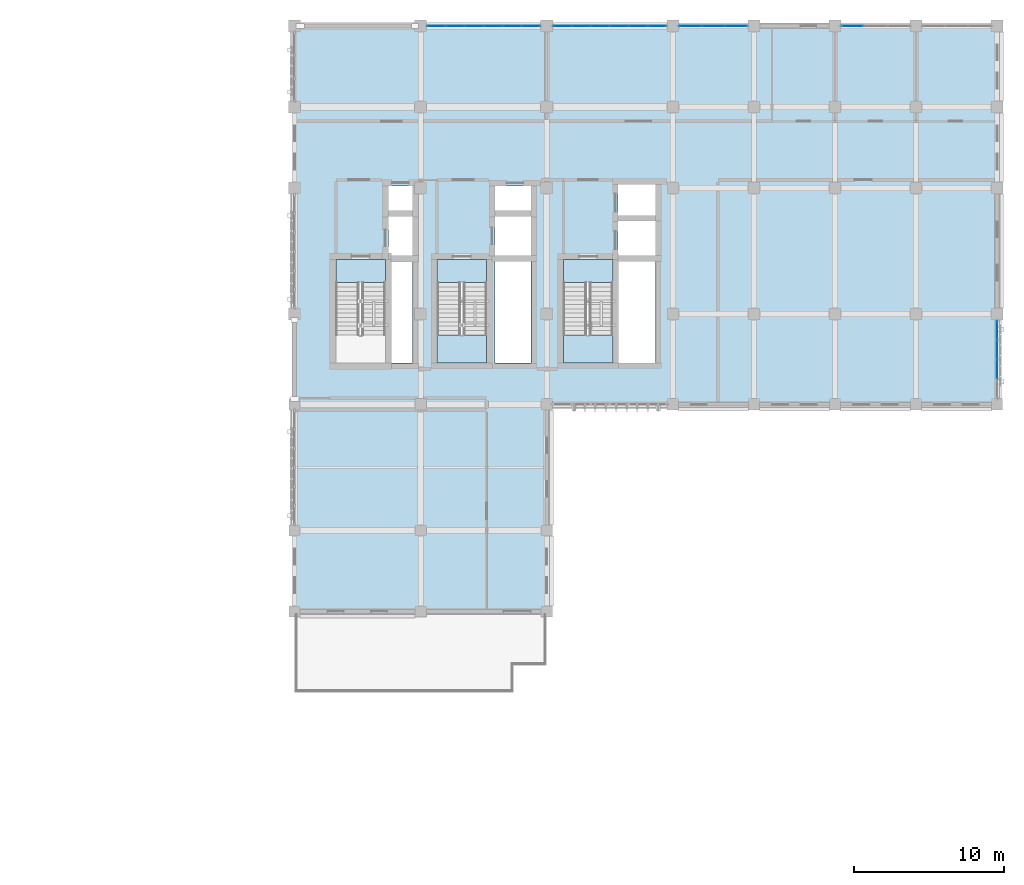
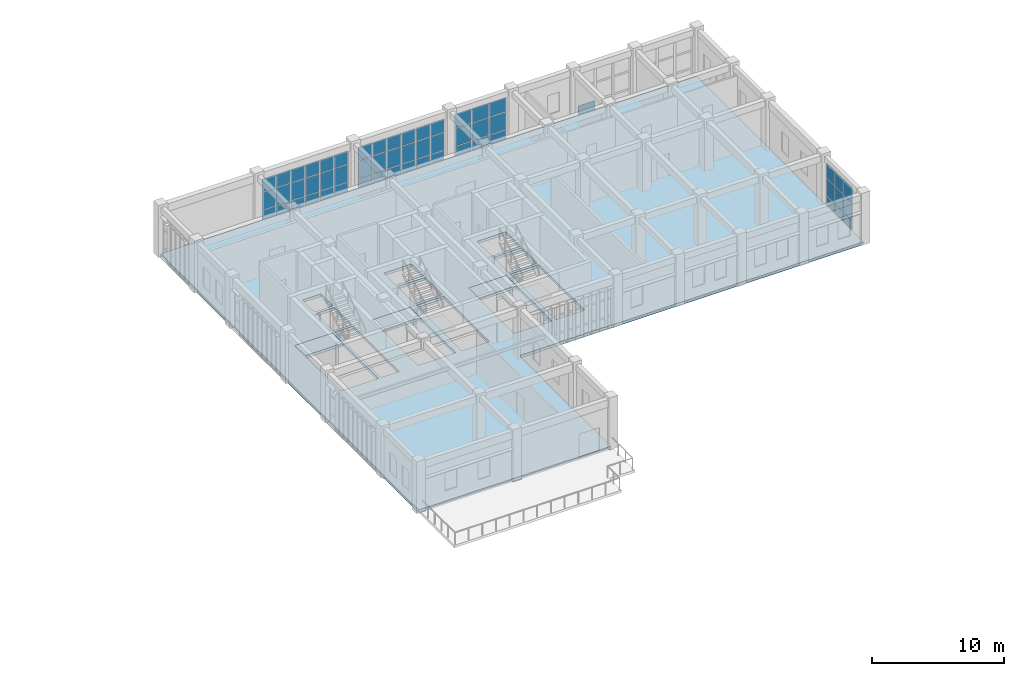
# One storey, part 60 of 76: 55 plates, 6 slabs, 7 elements without a shape of their own.
"""IFC4 building model written with IfcOpenShell, lengths in metres."""

from ifc_helpers import new_model, si_unit, direction, frame, origin, origin_2d, place, context, subcontext, project, spatial, polyline, rectangle, outline, extrude, material, layer, layer_set, type_object, element, aggregate, save


model = new_model("IFC4")

# Units and contexts
model_context = context("Model", 3, precision=1e-05, world=origin(), true_north=direction((0.0, 1.0)))
body_context = subcontext(model_context, "Body", "Model", "MODEL_VIEW")
ifc_project = project(units=[si_unit("LENGTHUNIT", "METRE"), si_unit("AREAUNIT", "SQUARE_METRE"), si_unit("VOLUMEUNIT", "CUBIC_METRE"), si_unit("PLANEANGLEUNIT", "RADIAN"), si_unit("MASSUNIT", "GRAM", prefix="KILO")], contexts=[model_context])

# Site, building, storey
site_placement = place(None, origin())
site = spatial("IfcSite", under=ifc_project, at=site_placement, CompositionType="ELEMENT")
building_placement = place(site_placement, origin())
building = spatial("IfcBuilding", under=site, at=building_placement, Name="Krzemoval Escarpment Law Courts", CompositionType="ELEMENT")
storey_placement = place(building_placement, frame((0.0, 0.0, 20.39990234375)))
storey = spatial("IfcBuildingStorey", under=building, at=storey_placement, Name="L04", CompositionType="ELEMENT", Elevation=20.39990234375)

# Curtain wall, plates
ifc_material_1 = material(Name="Aluminium 6063-T6", Category="aluminium")
ifc_layer_1 = layer(ifc_material_1, 0.219970703125)
ifc_layer_set_1 = layer_set([ifc_layer_1], Name="Aluminium 6063-T6")
curtain_wall_type = type_object("IfcCurtainWallType", Name="CW-CHMB-4200", PredefinedType="USERDEFINED", material=ifc_layer_set_1)
curtain_wall_1_placement = place(storey_placement, origin())
curtain_wall_1 = element("IfcCurtainWall", 1, at=curtain_wall_1_placement, inside=storey, type_object=curtain_wall_type, Name="Unitised Curtain Wall FCW-L04-126", ObjectType="UNITISED_CURTAIN_WALL", PredefinedType="USERDEFINED")
ifc_material_2 = material(Name="Triple Glazing IGU", Category="glass")
ifc_layer_2 = layer(ifc_material_2, 0.0419921875)
ifc_layer_set_2 = layer_set([ifc_layer_2], Name="Triple Glazing IGU")
plate_type = type_object("IfcPlateType", Name="CWP-GLZ-42", PredefinedType="CURTAIN_PANEL", material=ifc_layer_set_2)
plate_1_placement = place(storey_placement, frame((135.449462890625, 118.800048828125, 0.06494140625), z_axis=(0.0, 0.0, 1.0), x_axis=(1.0, 0.0, 0.0)))
plate_1 = element("IfcPlate", 2, at=plate_1_placement, type_object=plate_type, Name="FCW-L04-126 panel 1.1", PredefinedType="CURTAIN_PANEL", context=body_context, shape_type="SweptSolid", body=[
    extrude(rectangle(XDim=1.169189453125, YDim=0.0419921875, at=origin_2d()), origin(), (0.0, 0.0, 1.0), 0.802490234375),
])
plate_2_placement = place(storey_placement, frame((135.449462890625, 118.800048828125, 0.9326171875), z_axis=(0.0, 0.0, 1.0), x_axis=(1.0, 0.0, 0.0)))
plate_2 = element("IfcPlate", 3, at=plate_2_placement, type_object=plate_type, Name="FCW-L04-126 panel 1.2", PredefinedType="CURTAIN_PANEL", context=body_context, shape_type="SweptSolid", body=[
    extrude(rectangle(XDim=1.169189453125, YDim=0.0419921875, at=origin_2d()), origin(), (0.0, 0.0, 1.0), 1.5849609375),
])
plate_3_placement = place(storey_placement, frame((135.449462890625, 118.800048828125, 2.58251953125), z_axis=(0.0, 0.0, 1.0), x_axis=(1.0, 0.0, 0.0)))
plate_3 = element("IfcPlate", 4, at=plate_3_placement, type_object=plate_type, Name="FCW-L04-126 panel 1.3", PredefinedType="CURTAIN_PANEL", context=body_context, shape_type="SweptSolid", body=[
    extrude(rectangle(XDim=1.169189453125, YDim=0.0419921875, at=origin_2d()), origin(), (0.0, 0.0, 1.0), 1.202392578125),
])
plate_4_placement = place(storey_placement, frame((136.699951171875, 118.800048828125, 0.06494140625), z_axis=(0.0, 0.0, 1.0), x_axis=(1.0, 0.0, 0.0)))
plate_4 = element("IfcPlate", 5, at=plate_4_placement, type_object=plate_type, Name="FCW-L04-126 panel 2.1", PredefinedType="CURTAIN_PANEL", context=body_context, shape_type="SweptSolid", body=[
    extrude(rectangle(XDim=1.20166015625, YDim=0.0419921875, at=origin_2d()), origin(), (0.0, 0.0, 1.0), 0.802490234375),
])
plate_5_placement = place(storey_placement, frame((136.699951171875, 118.800048828125, 0.9326171875), z_axis=(0.0, 0.0, 1.0), x_axis=(1.0, 0.0, 0.0)))
plate_5 = element("IfcPlate", 6, at=plate_5_placement, type_object=plate_type, Name="FCW-L04-126 panel 2.2", PredefinedType="CURTAIN_PANEL", context=body_context, shape_type="SweptSolid", body=[
    extrude(rectangle(XDim=1.20166015625, YDim=0.0419921875, at=origin_2d()), origin(), (0.0, 0.0, 1.0), 1.5849609375),
])
plate_6_placement = place(storey_placement, frame((136.699951171875, 118.800048828125, 2.58251953125), z_axis=(0.0, 0.0, 1.0), x_axis=(1.0, 0.0, 0.0)))
plate_6 = element("IfcPlate", 7, at=plate_6_placement, type_object=plate_type, Name="FCW-L04-126 panel 2.3", PredefinedType="CURTAIN_PANEL", context=body_context, shape_type="SweptSolid", body=[
    extrude(rectangle(XDim=1.20166015625, YDim=0.0419921875, at=origin_2d()), origin(), (0.0, 0.0, 1.0), 1.202392578125),
])
plate_7_placement = place(storey_placement, frame((137.966552734375, 118.800048828125, 0.06494140625), z_axis=(0.0, 0.0, 1.0), x_axis=(1.0, 0.0, 0.0)))
plate_7 = element("IfcPlate", 8, at=plate_7_placement, type_object=plate_type, Name="FCW-L04-126 panel 3.1", PredefinedType="CURTAIN_PANEL", context=body_context, shape_type="SweptSolid", body=[
    extrude(rectangle(XDim=1.20166015625, YDim=0.0419921875, at=origin_2d()), origin(), (0.0, 0.0, 1.0), 0.802490234375),
])
plate_8_placement = place(storey_placement, frame((137.966552734375, 118.800048828125, 0.9326171875), z_axis=(0.0, 0.0, 1.0), x_axis=(1.0, 0.0, 0.0)))
plate_8 = element("IfcPlate", 9, at=plate_8_placement, type_object=plate_type, Name="FCW-L04-126 panel 3.2", PredefinedType="CURTAIN_PANEL", context=body_context, shape_type="SweptSolid", body=[
    extrude(rectangle(XDim=1.20166015625, YDim=0.0419921875, at=origin_2d()), origin(), (0.0, 0.0, 1.0), 1.5849609375),
])
plate_9_placement = place(storey_placement, frame((137.966552734375, 118.800048828125, 2.58251953125), z_axis=(0.0, 0.0, 1.0), x_axis=(1.0, 0.0, 0.0)))
plate_9 = element("IfcPlate", 10, at=plate_9_placement, type_object=plate_type, Name="FCW-L04-126 panel 3.3", PredefinedType="CURTAIN_PANEL", context=body_context, shape_type="SweptSolid", body=[
    extrude(rectangle(XDim=1.20166015625, YDim=0.0419921875, at=origin_2d()), origin(), (0.0, 0.0, 1.0), 1.202392578125),
])
plate_10_placement = place(storey_placement, frame((139.2333984375, 118.800048828125, 0.06494140625), z_axis=(0.0, 0.0, 1.0), x_axis=(1.0, 0.0, 0.0)))
plate_10 = element("IfcPlate", 11, at=plate_10_placement, type_object=plate_type, Name="FCW-L04-126 panel 4.1", PredefinedType="CURTAIN_PANEL", context=body_context, shape_type="SweptSolid", body=[
    extrude(rectangle(XDim=1.20166015625, YDim=0.0419921875, at=origin_2d()), origin(), (0.0, 0.0, 1.0), 0.802490234375),
])
plate_11_placement = place(storey_placement, frame((139.2333984375, 118.800048828125, 0.9326171875), z_axis=(0.0, 0.0, 1.0), x_axis=(1.0, 0.0, 0.0)))
plate_11 = element("IfcPlate", 12, at=plate_11_placement, type_object=plate_type, Name="FCW-L04-126 panel 4.2", PredefinedType="CURTAIN_PANEL", context=body_context, shape_type="SweptSolid", body=[
    extrude(rectangle(XDim=1.20166015625, YDim=0.0419921875, at=origin_2d()), origin(), (0.0, 0.0, 1.0), 1.5849609375),
])
plate_12_placement = place(storey_placement, frame((139.2333984375, 118.800048828125, 2.58251953125), z_axis=(0.0, 0.0, 1.0), x_axis=(1.0, 0.0, 0.0)))
plate_12 = element("IfcPlate", 13, at=plate_12_placement, type_object=plate_type, Name="FCW-L04-126 panel 4.3", PredefinedType="CURTAIN_PANEL", context=body_context, shape_type="SweptSolid", body=[
    extrude(rectangle(XDim=1.20166015625, YDim=0.0419921875, at=origin_2d()), origin(), (0.0, 0.0, 1.0), 1.202392578125),
])
plate_13_placement = place(storey_placement, frame((140.5, 118.800048828125, 0.06494140625), z_axis=(0.0, 0.0, 1.0), x_axis=(1.0, 0.0, 0.0)))
plate_13 = element("IfcPlate", 14, at=plate_13_placement, type_object=plate_type, Name="FCW-L04-126 panel 5.1", PredefinedType="CURTAIN_PANEL", context=body_context, shape_type="SweptSolid", body=[
    extrude(rectangle(XDim=1.20166015625, YDim=0.0419921875, at=origin_2d()), origin(), (0.0, 0.0, 1.0), 0.802490234375),
])
plate_14_placement = place(storey_placement, frame((140.5, 118.800048828125, 0.9326171875), z_axis=(0.0, 0.0, 1.0), x_axis=(1.0, 0.0, 0.0)))
plate_14 = element("IfcPlate", 15, at=plate_14_placement, type_object=plate_type, Name="FCW-L04-126 panel 5.2", PredefinedType="CURTAIN_PANEL", context=body_context, shape_type="SweptSolid", body=[
    extrude(rectangle(XDim=1.20166015625, YDim=0.0419921875, at=origin_2d()), origin(), (0.0, 0.0, 1.0), 1.5849609375),
])
plate_15_placement = place(storey_placement, frame((140.5, 118.800048828125, 2.58251953125), z_axis=(0.0, 0.0, 1.0), x_axis=(1.0, 0.0, 0.0)))
plate_15 = element("IfcPlate", 16, at=plate_15_placement, type_object=plate_type, Name="FCW-L04-126 panel 5.3", PredefinedType="CURTAIN_PANEL", context=body_context, shape_type="SweptSolid", body=[
    extrude(rectangle(XDim=1.20166015625, YDim=0.0419921875, at=origin_2d()), origin(), (0.0, 0.0, 1.0), 1.202392578125),
])
plate_16_placement = place(storey_placement, frame((141.75048828125, 118.800048828125, 0.06494140625), z_axis=(0.0, 0.0, 1.0), x_axis=(1.0, 0.0, 0.0)))
plate_16 = element("IfcPlate", 17, at=plate_16_placement, type_object=plate_type, Name="FCW-L04-126 panel 6.1", PredefinedType="CURTAIN_PANEL", context=body_context, shape_type="SweptSolid", body=[
    extrude(rectangle(XDim=1.169189453125, YDim=0.0419921875, at=origin_2d()), origin(), (0.0, 0.0, 1.0), 0.802490234375),
])
plate_17_placement = place(storey_placement, frame((141.75048828125, 118.800048828125, 0.9326171875), z_axis=(0.0, 0.0, 1.0), x_axis=(1.0, 0.0, 0.0)))
plate_17 = element("IfcPlate", 18, at=plate_17_placement, type_object=plate_type, Name="FCW-L04-126 panel 6.2", PredefinedType="CURTAIN_PANEL", context=body_context, shape_type="SweptSolid", body=[
    extrude(rectangle(XDim=1.169189453125, YDim=0.0419921875, at=origin_2d()), origin(), (0.0, 0.0, 1.0), 1.5849609375),
])
plate_18_placement = place(storey_placement, frame((141.75048828125, 118.800048828125, 2.58251953125), z_axis=(0.0, 0.0, 1.0), x_axis=(1.0, 0.0, 0.0)))
plate_18 = element("IfcPlate", 19, at=plate_18_placement, type_object=plate_type, Name="FCW-L04-126 panel 6.3", PredefinedType="CURTAIN_PANEL", context=body_context, shape_type="SweptSolid", body=[
    extrude(rectangle(XDim=1.169189453125, YDim=0.0419921875, at=origin_2d()), origin(), (0.0, 0.0, 1.0), 1.202392578125),
])
aggregate(curtain_wall_1, [plate_1, plate_2, plate_3, plate_4, plate_5, plate_6, plate_7, plate_8, plate_9, plate_10, plate_11, plate_12, plate_13, plate_14, plate_15, plate_16, plate_17, plate_18])

curtain_wall_2_placement = place(storey_placement, origin())
curtain_wall_2 = element("IfcCurtainWall", 20, at=curtain_wall_2_placement, inside=storey, type_object=curtain_wall_type, Name="Unitised Curtain Wall FCW-L04-127", ObjectType="UNITISED_CURTAIN_WALL", PredefinedType="USERDEFINED")
plate_19_placement = place(storey_placement, frame((143.849609375, 118.800048828125, 0.06494140625), z_axis=(0.0, 0.0, 1.0), x_axis=(1.0, 0.0, 0.0)))
plate_19 = element("IfcPlate", 21, at=plate_19_placement, type_object=plate_type, Name="FCW-L04-127 panel 1.1", PredefinedType="CURTAIN_PANEL", context=body_context, shape_type="SweptSolid", body=[
    extrude(rectangle(XDim=1.169189453125, YDim=0.0419921875, at=origin_2d()), origin(), (0.0, 0.0, 1.0), 0.802490234375),
])
plate_20_placement = place(storey_placement, frame((143.849609375, 118.800048828125, 0.9326171875), z_axis=(0.0, 0.0, 1.0), x_axis=(1.0, 0.0, 0.0)))
plate_20 = element("IfcPlate", 22, at=plate_20_placement, type_object=plate_type, Name="FCW-L04-127 panel 1.2", PredefinedType="CURTAIN_PANEL", context=body_context, shape_type="SweptSolid", body=[
    extrude(rectangle(XDim=1.169189453125, YDim=0.0419921875, at=origin_2d()), origin(), (0.0, 0.0, 1.0), 1.5849609375),
])
plate_21_placement = place(storey_placement, frame((143.849609375, 118.800048828125, 2.58251953125), z_axis=(0.0, 0.0, 1.0), x_axis=(1.0, 0.0, 0.0)))
plate_21 = element("IfcPlate", 23, at=plate_21_placement, type_object=plate_type, Name="FCW-L04-127 panel 1.3", PredefinedType="CURTAIN_PANEL", context=body_context, shape_type="SweptSolid", body=[
    extrude(rectangle(XDim=1.169189453125, YDim=0.0419921875, at=origin_2d()), origin(), (0.0, 0.0, 1.0), 1.202392578125),
])
plate_22_placement = place(storey_placement, frame((145.10009765625, 118.800048828125, 0.06494140625), z_axis=(0.0, 0.0, 1.0), x_axis=(1.0, 0.0, 0.0)))
plate_22 = element("IfcPlate", 24, at=plate_22_placement, type_object=plate_type, Name="FCW-L04-127 panel 2.1", PredefinedType="CURTAIN_PANEL", context=body_context, shape_type="SweptSolid", body=[
    extrude(rectangle(XDim=1.20166015625, YDim=0.0419921875, at=origin_2d()), origin(), (0.0, 0.0, 1.0), 0.802490234375),
])
plate_23_placement = place(storey_placement, frame((145.10009765625, 118.800048828125, 0.9326171875), z_axis=(0.0, 0.0, 1.0), x_axis=(1.0, 0.0, 0.0)))
plate_23 = element("IfcPlate", 25, at=plate_23_placement, type_object=plate_type, Name="FCW-L04-127 panel 2.2", PredefinedType="CURTAIN_PANEL", context=body_context, shape_type="SweptSolid", body=[
    extrude(rectangle(XDim=1.20166015625, YDim=0.0419921875, at=origin_2d()), origin(), (0.0, 0.0, 1.0), 1.5849609375),
])
plate_24_placement = place(storey_placement, frame((145.10009765625, 118.800048828125, 2.58251953125), z_axis=(0.0, 0.0, 1.0), x_axis=(1.0, 0.0, 0.0)))
plate_24 = element("IfcPlate", 26, at=plate_24_placement, type_object=plate_type, Name="FCW-L04-127 panel 2.3", PredefinedType="CURTAIN_PANEL", context=body_context, shape_type="SweptSolid", body=[
    extrude(rectangle(XDim=1.20166015625, YDim=0.0419921875, at=origin_2d()), origin(), (0.0, 0.0, 1.0), 1.202392578125),
])
plate_25_placement = place(storey_placement, frame((146.36669921875, 118.800048828125, 0.06494140625), z_axis=(0.0, 0.0, 1.0), x_axis=(1.0, 0.0, 0.0)))
plate_25 = element("IfcPlate", 27, at=plate_25_placement, type_object=plate_type, Name="FCW-L04-127 panel 3.1", PredefinedType="CURTAIN_PANEL", context=body_context, shape_type="SweptSolid", body=[
    extrude(rectangle(XDim=1.20166015625, YDim=0.0419921875, at=origin_2d()), origin(), (0.0, 0.0, 1.0), 0.802490234375),
])
plate_26_placement = place(storey_placement, frame((146.36669921875, 118.800048828125, 0.9326171875), z_axis=(0.0, 0.0, 1.0), x_axis=(1.0, 0.0, 0.0)))
plate_26 = element("IfcPlate", 28, at=plate_26_placement, type_object=plate_type, Name="FCW-L04-127 panel 3.2", PredefinedType="CURTAIN_PANEL", context=body_context, shape_type="SweptSolid", body=[
    extrude(rectangle(XDim=1.20166015625, YDim=0.0419921875, at=origin_2d()), origin(), (0.0, 0.0, 1.0), 1.5849609375),
])
plate_27_placement = place(storey_placement, frame((146.36669921875, 118.800048828125, 2.58251953125), z_axis=(0.0, 0.0, 1.0), x_axis=(1.0, 0.0, 0.0)))
plate_27 = element("IfcPlate", 29, at=plate_27_placement, type_object=plate_type, Name="FCW-L04-127 panel 3.3", PredefinedType="CURTAIN_PANEL", context=body_context, shape_type="SweptSolid", body=[
    extrude(rectangle(XDim=1.20166015625, YDim=0.0419921875, at=origin_2d()), origin(), (0.0, 0.0, 1.0), 1.202392578125),
])
plate_28_placement = place(storey_placement, frame((147.63330078125, 118.800048828125, 0.06494140625), z_axis=(0.0, 0.0, 1.0), x_axis=(1.0, 0.0, 0.0)))
plate_28 = element("IfcPlate", 30, at=plate_28_placement, type_object=plate_type, Name="FCW-L04-127 panel 4.1", PredefinedType="CURTAIN_PANEL", context=body_context, shape_type="SweptSolid", body=[
    extrude(rectangle(XDim=1.20166015625, YDim=0.0419921875, at=origin_2d()), origin(), (0.0, 0.0, 1.0), 0.802490234375),
])
plate_29_placement = place(storey_placement, frame((147.63330078125, 118.800048828125, 0.9326171875), z_axis=(0.0, 0.0, 1.0), x_axis=(1.0, 0.0, 0.0)))
plate_29 = element("IfcPlate", 31, at=plate_29_placement, type_object=plate_type, Name="FCW-L04-127 panel 4.2", PredefinedType="CURTAIN_PANEL", context=body_context, shape_type="SweptSolid", body=[
    extrude(rectangle(XDim=1.20166015625, YDim=0.0419921875, at=origin_2d()), origin(), (0.0, 0.0, 1.0), 1.5849609375),
])
plate_30_placement = place(storey_placement, frame((147.63330078125, 118.800048828125, 2.58251953125), z_axis=(0.0, 0.0, 1.0), x_axis=(1.0, 0.0, 0.0)))
plate_30 = element("IfcPlate", 32, at=plate_30_placement, type_object=plate_type, Name="FCW-L04-127 panel 4.3", PredefinedType="CURTAIN_PANEL", context=body_context, shape_type="SweptSolid", body=[
    extrude(rectangle(XDim=1.20166015625, YDim=0.0419921875, at=origin_2d()), origin(), (0.0, 0.0, 1.0), 1.202392578125),
])
plate_31_placement = place(storey_placement, frame((148.89990234375, 118.800048828125, 0.06494140625), z_axis=(0.0, 0.0, 1.0), x_axis=(1.0, 0.0, 0.0)))
plate_31 = element("IfcPlate", 33, at=plate_31_placement, type_object=plate_type, Name="FCW-L04-127 panel 5.1", PredefinedType="CURTAIN_PANEL", context=body_context, shape_type="SweptSolid", body=[
    extrude(rectangle(XDim=1.20166015625, YDim=0.0419921875, at=origin_2d()), origin(), (0.0, 0.0, 1.0), 0.802490234375),
])
plate_32_placement = place(storey_placement, frame((148.89990234375, 118.800048828125, 0.9326171875), z_axis=(0.0, 0.0, 1.0), x_axis=(1.0, 0.0, 0.0)))
plate_32 = element("IfcPlate", 34, at=plate_32_placement, type_object=plate_type, Name="FCW-L04-127 panel 5.2", PredefinedType="CURTAIN_PANEL", context=body_context, shape_type="SweptSolid", body=[
    extrude(rectangle(XDim=1.20166015625, YDim=0.0419921875, at=origin_2d()), origin(), (0.0, 0.0, 1.0), 1.5849609375),
])
plate_33_placement = place(storey_placement, frame((148.89990234375, 118.800048828125, 2.58251953125), z_axis=(0.0, 0.0, 1.0), x_axis=(1.0, 0.0, 0.0)))
plate_33 = element("IfcPlate", 35, at=plate_33_placement, type_object=plate_type, Name="FCW-L04-127 panel 5.3", PredefinedType="CURTAIN_PANEL", context=body_context, shape_type="SweptSolid", body=[
    extrude(rectangle(XDim=1.20166015625, YDim=0.0419921875, at=origin_2d()), origin(), (0.0, 0.0, 1.0), 1.202392578125),
])
plate_34_placement = place(storey_placement, frame((150.150390625, 118.800048828125, 0.06494140625), z_axis=(0.0, 0.0, 1.0), x_axis=(1.0, 0.0, 0.0)))
plate_34 = element("IfcPlate", 36, at=plate_34_placement, type_object=plate_type, Name="FCW-L04-127 panel 6.1", PredefinedType="CURTAIN_PANEL", context=body_context, shape_type="SweptSolid", body=[
    extrude(rectangle(XDim=1.169189453125, YDim=0.0419921875, at=origin_2d()), origin(), (0.0, 0.0, 1.0), 0.802490234375),
])
plate_35_placement = place(storey_placement, frame((150.150390625, 118.800048828125, 0.9326171875), z_axis=(0.0, 0.0, 1.0), x_axis=(1.0, 0.0, 0.0)))
plate_35 = element("IfcPlate", 37, at=plate_35_placement, type_object=plate_type, Name="FCW-L04-127 panel 6.2", PredefinedType="CURTAIN_PANEL", context=body_context, shape_type="SweptSolid", body=[
    extrude(rectangle(XDim=1.169189453125, YDim=0.0419921875, at=origin_2d()), origin(), (0.0, 0.0, 1.0), 1.5849609375),
])
plate_36_placement = place(storey_placement, frame((150.150390625, 118.800048828125, 2.58251953125), z_axis=(0.0, 0.0, 1.0), x_axis=(1.0, 0.0, 0.0)))
plate_36 = element("IfcPlate", 38, at=plate_36_placement, type_object=plate_type, Name="FCW-L04-127 panel 6.3", PredefinedType="CURTAIN_PANEL", context=body_context, shape_type="SweptSolid", body=[
    extrude(rectangle(XDim=1.169189453125, YDim=0.0419921875, at=origin_2d()), origin(), (0.0, 0.0, 1.0), 1.202392578125),
])
aggregate(curtain_wall_2, [plate_19, plate_20, plate_21, plate_22, plate_23, plate_24, plate_25, plate_26, plate_27, plate_28, plate_29, plate_30, plate_31, plate_32, plate_33, plate_34, plate_35, plate_36])

curtain_wall_3_placement = place(storey_placement, origin())
curtain_wall_3 = element("IfcCurtainWall", 39, at=curtain_wall_3_placement, inside=storey, type_object=curtain_wall_type, Name="Unitised Curtain Wall FCW-L04-128", ObjectType="UNITISED_CURTAIN_WALL", PredefinedType="USERDEFINED")
plate_37_placement = place(storey_placement, frame((152.3828125, 118.800048828125, 0.06494140625), z_axis=(0.0, 0.0, 1.0), x_axis=(1.0, 0.0, 0.0)))
plate_37 = element("IfcPlate", 40, at=plate_37_placement, type_object=plate_type, Name="FCW-L04-128 panel 1.1", PredefinedType="CURTAIN_PANEL", context=body_context, shape_type="SweptSolid", body=[
    extrude(rectangle(XDim=1.435791015625, YDim=0.0419921875, at=origin_2d()), origin(), (0.0, 0.0, 1.0), 0.802490234375),
])
plate_38_placement = place(storey_placement, frame((152.3828125, 118.800048828125, 0.9326171875), z_axis=(0.0, 0.0, 1.0), x_axis=(1.0, 0.0, 0.0)))
plate_38 = element("IfcPlate", 41, at=plate_38_placement, type_object=plate_type, Name="FCW-L04-128 panel 1.2", PredefinedType="CURTAIN_PANEL", context=body_context, shape_type="SweptSolid", body=[
    extrude(rectangle(XDim=1.435791015625, YDim=0.0419921875, at=origin_2d()), origin(), (0.0, 0.0, 1.0), 1.5849609375),
])
plate_39_placement = place(storey_placement, frame((152.3828125, 118.800048828125, 2.58251953125), z_axis=(0.0, 0.0, 1.0), x_axis=(1.0, 0.0, 0.0)))
plate_39 = element("IfcPlate", 42, at=plate_39_placement, type_object=plate_type, Name="FCW-L04-128 panel 1.3", PredefinedType="CURTAIN_PANEL", context=body_context, shape_type="SweptSolid", body=[
    extrude(rectangle(XDim=1.435791015625, YDim=0.0419921875, at=origin_2d()), origin(), (0.0, 0.0, 1.0), 1.302490234375),
])
plate_40_placement = place(storey_placement, frame((153.89990234375, 118.800048828125, 0.06494140625), z_axis=(0.0, 0.0, 1.0), x_axis=(1.0, 0.0, 0.0)))
plate_40 = element("IfcPlate", 43, at=plate_40_placement, type_object=plate_type, Name="FCW-L04-128 panel 2.1", PredefinedType="CURTAIN_PANEL", context=body_context, shape_type="SweptSolid", body=[
    extrude(rectangle(XDim=1.46826171875, YDim=0.0419921875, at=origin_2d()), origin(), (0.0, 0.0, 1.0), 0.802490234375),
])
plate_41_placement = place(storey_placement, frame((153.89990234375, 118.800048828125, 0.9326171875), z_axis=(0.0, 0.0, 1.0), x_axis=(1.0, 0.0, 0.0)))
plate_41 = element("IfcPlate", 44, at=plate_41_placement, type_object=plate_type, Name="FCW-L04-128 panel 2.2", PredefinedType="CURTAIN_PANEL", context=body_context, shape_type="SweptSolid", body=[
    extrude(rectangle(XDim=1.46826171875, YDim=0.0419921875, at=origin_2d()), origin(), (0.0, 0.0, 1.0), 1.5849609375),
])
plate_42_placement = place(storey_placement, frame((153.89990234375, 118.800048828125, 2.58251953125), z_axis=(0.0, 0.0, 1.0), x_axis=(1.0, 0.0, 0.0)))
plate_42 = element("IfcPlate", 45, at=plate_42_placement, type_object=plate_type, Name="FCW-L04-128 panel 2.3", PredefinedType="CURTAIN_PANEL", context=body_context, shape_type="SweptSolid", body=[
    extrude(rectangle(XDim=1.46826171875, YDim=0.0419921875, at=origin_2d()), origin(), (0.0, 0.0, 1.0), 1.302490234375),
])
plate_43_placement = place(storey_placement, frame((155.4169921875, 118.800048828125, 0.06494140625), z_axis=(0.0, 0.0, 1.0), x_axis=(1.0, 0.0, 0.0)))
plate_43 = element("IfcPlate", 46, at=plate_43_placement, type_object=plate_type, Name="FCW-L04-128 panel 3.1", PredefinedType="CURTAIN_PANEL", context=body_context, shape_type="SweptSolid", body=[
    extrude(rectangle(XDim=1.435791015625, YDim=0.0419921875, at=origin_2d()), origin(), (0.0, 0.0, 1.0), 0.802490234375),
])
plate_44_placement = place(storey_placement, frame((155.4169921875, 118.800048828125, 0.9326171875), z_axis=(0.0, 0.0, 1.0), x_axis=(1.0, 0.0, 0.0)))
plate_44 = element("IfcPlate", 47, at=plate_44_placement, type_object=plate_type, Name="FCW-L04-128 panel 3.2", PredefinedType="CURTAIN_PANEL", context=body_context, shape_type="SweptSolid", body=[
    extrude(rectangle(XDim=1.435791015625, YDim=0.0419921875, at=origin_2d()), origin(), (0.0, 0.0, 1.0), 1.5849609375),
])
plate_45_placement = place(storey_placement, frame((155.4169921875, 118.800048828125, 2.58251953125), z_axis=(0.0, 0.0, 1.0), x_axis=(1.0, 0.0, 0.0)))
plate_45 = element("IfcPlate", 48, at=plate_45_placement, type_object=plate_type, Name="FCW-L04-128 panel 3.3", PredefinedType="CURTAIN_PANEL", context=body_context, shape_type="SweptSolid", body=[
    extrude(rectangle(XDim=1.435791015625, YDim=0.0419921875, at=origin_2d()), origin(), (0.0, 0.0, 1.0), 1.302490234375),
])
aggregate(curtain_wall_3, [plate_37, plate_38, plate_39, plate_40, plate_41, plate_42, plate_43, plate_44, plate_45])

# Curtain wall, plate
curtain_wall_4_placement = place(storey_placement, origin())
curtain_wall_4 = element("IfcCurtainWall", 49, at=curtain_wall_4_placement, inside=storey, type_object=curtain_wall_type, Name="Unitised Curtain Wall FCW-L04-129", ObjectType="UNITISED_CURTAIN_WALL", PredefinedType="USERDEFINED")
plate_46_placement = place(storey_placement, frame((163.182861328125, 118.800048828125, 0.06494140625), z_axis=(0.0, 0.0, 1.0), x_axis=(1.0, 0.0, 0.0)))
plate_46 = element("IfcPlate", 50, at=plate_46_placement, type_object=plate_type, Name="FCW-L04-129 panel 1.1", PredefinedType="CURTAIN_PANEL", context=body_context, shape_type="SweptSolid", body=[
    extrude(rectangle(XDim=1.435791015625, YDim=0.0419921875, at=origin_2d()), origin(), (0.0, 0.0, 1.0), 0.802490234375),
])
aggregate(curtain_wall_4, [plate_46])

# Curtain wall, plates
curtain_wall_5_placement = place(storey_placement, origin())
curtain_wall_5 = element("IfcCurtainWall", 51, at=curtain_wall_5_placement, inside=storey, type_object=curtain_wall_type, Name="Unitised Curtain Wall FCW-L04-131", ObjectType="UNITISED_CURTAIN_WALL", PredefinedType="USERDEFINED")
plate_47_placement = place(storey_placement, frame((172.800048828125, 98.530517578125, 0.06494140625), z_axis=(0.0, 0.0, 1.0), x_axis=(0.0, -1.0, 0.0)))
plate_47 = element("IfcPlate", 52, at=plate_47_placement, type_object=plate_type, Name="FCW-L04-131 panel 1.1", PredefinedType="CURTAIN_PANEL", context=body_context, shape_type="SweptSolid", body=[
    extrude(rectangle(XDim=1.208740234375, YDim=0.0419921875, at=origin_2d()), origin(), (0.0, 0.0, 1.0), 0.802490234375),
])
plate_48_placement = place(storey_placement, frame((172.800048828125, 98.530517578125, 0.9326171875), z_axis=(0.0, 0.0, 1.0), x_axis=(0.0, -1.0, 0.0)))
plate_48 = element("IfcPlate", 53, at=plate_48_placement, type_object=plate_type, Name="FCW-L04-131 panel 1.2", PredefinedType="CURTAIN_PANEL", context=body_context, shape_type="SweptSolid", body=[
    extrude(rectangle(XDim=1.208740234375, YDim=0.0419921875, at=origin_2d()), origin(), (0.0, 0.0, 1.0), 1.5849609375),
])
plate_49_placement = place(storey_placement, frame((172.800048828125, 98.530517578125, 2.58251953125), z_axis=(0.0, 0.0, 1.0), x_axis=(0.0, -1.0, 0.0)))
plate_49 = element("IfcPlate", 54, at=plate_49_placement, type_object=plate_type, Name="FCW-L04-131 panel 1.3", PredefinedType="CURTAIN_PANEL", context=body_context, shape_type="SweptSolid", body=[
    extrude(rectangle(XDim=1.208740234375, YDim=0.0419921875, at=origin_2d()), origin(), (0.0, 0.0, 1.0), 1.3525390625),
])
plate_50_placement = place(storey_placement, frame((172.800048828125, 97.24072265625, 0.06494140625), z_axis=(0.0, 0.0, 1.0), x_axis=(0.0, -1.0, 0.0)))
plate_50 = element("IfcPlate", 55, at=plate_50_placement, type_object=plate_type, Name="FCW-L04-131 panel 2.1", PredefinedType="CURTAIN_PANEL", context=body_context, shape_type="SweptSolid", body=[
    extrude(rectangle(XDim=1.2412109375, YDim=0.0419921875, at=origin_2d()), origin(), (0.0, 0.0, 1.0), 0.802490234375),
])
plate_51_placement = place(storey_placement, frame((172.800048828125, 97.24072265625, 0.9326171875), z_axis=(0.0, 0.0, 1.0), x_axis=(0.0, -1.0, 0.0)))
plate_51 = element("IfcPlate", 56, at=plate_51_placement, type_object=plate_type, Name="FCW-L04-131 panel 2.2", PredefinedType="CURTAIN_PANEL", context=body_context, shape_type="SweptSolid", body=[
    extrude(rectangle(XDim=1.2412109375, YDim=0.0419921875, at=origin_2d()), origin(), (0.0, 0.0, 1.0), 1.5849609375),
])
plate_52_placement = place(storey_placement, frame((172.800048828125, 97.24072265625, 2.58251953125), z_axis=(0.0, 0.0, 1.0), x_axis=(0.0, -1.0, 0.0)))
plate_52 = element("IfcPlate", 57, at=plate_52_placement, type_object=plate_type, Name="FCW-L04-131 panel 2.3", PredefinedType="CURTAIN_PANEL", context=body_context, shape_type="SweptSolid", body=[
    extrude(rectangle(XDim=1.2412109375, YDim=0.0419921875, at=origin_2d()), origin(), (0.0, 0.0, 1.0), 1.3525390625),
])
plate_53_placement = place(storey_placement, frame((172.800048828125, 95.934326171875, 0.06494140625), z_axis=(0.0, 0.0, 1.0), x_axis=(0.0, -1.0, 0.0)))
plate_53 = element("IfcPlate", 58, at=plate_53_placement, type_object=plate_type, Name="FCW-L04-131 panel 3.1", PredefinedType="CURTAIN_PANEL", context=body_context, shape_type="SweptSolid", body=[
    extrude(rectangle(XDim=1.2412109375, YDim=0.0419921875, at=origin_2d()), origin(), (0.0, 0.0, 1.0), 0.802490234375),
])
plate_54_placement = place(storey_placement, frame((172.800048828125, 95.934326171875, 0.9326171875), z_axis=(0.0, 0.0, 1.0), x_axis=(0.0, -1.0, 0.0)))
plate_54 = element("IfcPlate", 59, at=plate_54_placement, type_object=plate_type, Name="FCW-L04-131 panel 3.2", PredefinedType="CURTAIN_PANEL", context=body_context, shape_type="SweptSolid", body=[
    extrude(rectangle(XDim=1.2412109375, YDim=0.0419921875, at=origin_2d()), origin(), (0.0, 0.0, 1.0), 1.5849609375),
])
plate_55_placement = place(storey_placement, frame((172.800048828125, 95.934326171875, 2.58251953125), z_axis=(0.0, 0.0, 1.0), x_axis=(0.0, -1.0, 0.0)))
plate_55 = element("IfcPlate", 60, at=plate_55_placement, type_object=plate_type, Name="FCW-L04-131 panel 3.3", PredefinedType="CURTAIN_PANEL", context=body_context, shape_type="SweptSolid", body=[
    extrude(rectangle(XDim=1.2412109375, YDim=0.0419921875, at=origin_2d()), origin(), (0.0, 0.0, 1.0), 1.3525390625),
])
aggregate(curtain_wall_5, [plate_47, plate_48, plate_49, plate_50, plate_51, plate_52, plate_53, plate_54, plate_55])

# Slabs
ifc_material_3 = material(Name="Concrete C40/50", Category="concrete")
ifc_layer_3 = layer(ifc_material_3, 0.260009765625)
ifc_layer_set_3 = layer_set([ifc_layer_3], Name="Concrete C40/50")
slab_type_1 = type_object("IfcSlabType", Name="SL-FLR-260", PredefinedType="FLOOR", material=ifc_layer_set_3)
slab_1_placement = place(storey_placement, frame((0.0, 0.0, -0.260009765625)))
element("IfcSlab", 61, at=slab_1_placement, inside=storey, type_object=slab_type_1, Name="Floor Slab SL-L04-V5-044", PredefinedType="FLOOR", context=body_context, shape_type="SweptSolid", body=[
    extrude(outline(polyline([(142.800048828125, 93.60009765625), (142.800048828125, 79.800048828125), (126.0, 79.800048828125), (126.0, 118.800048828125), (172.800048828125, 118.800048828125), (172.800048828125, 93.60009765625), (142.800048828125, 93.60009765625)]), holes=[polyline([(133.85009765625, 103.5), (133.85009765625, 106.10009765625), (132.25, 106.10009765625), (132.25, 103.5), (133.85009765625, 103.5)]), polyline([(132.25, 106.35009765625), (133.85009765625, 106.35009765625), (133.85009765625, 108.14990234375), (132.25, 108.14990234375), (132.25, 106.35009765625)]), polyline([(132.25, 103.25), (132.25, 96.35009765625), (133.85009765625, 96.35009765625), (133.85009765625, 103.25), (132.25, 103.25)]), polyline([(141.75, 106.10009765625), (139.35009765625, 106.10009765625), (139.35009765625, 103.5), (141.75, 103.5), (141.75, 106.10009765625)]), polyline([(141.75, 106.35009765625), (141.75, 108.14990234375), (139.35009765625, 108.14990234375), (139.35009765625, 106.35009765625), (141.75, 106.35009765625)]), polyline([(139.35009765625, 96.35009765625), (141.75, 96.35009765625), (141.75, 103.25), (139.35009765625, 103.25), (139.35009765625, 96.35009765625)]), polyline([(147.550048828125, 105.800048828125), (147.550048828125, 103.5), (150.050048828125, 103.5), (150.050048828125, 105.800048828125), (147.550048828125, 105.800048828125)]), polyline([(150.050048828125, 108.25), (147.550048828125, 108.25), (147.550048828125, 106.050048828125), (150.050048828125, 106.050048828125), (150.050048828125, 108.25)]), polyline([(150.050048828125, 96.35009765625), (150.050048828125, 103.25), (147.550048828125, 103.25), (147.550048828125, 96.35009765625), (150.050048828125, 96.35009765625)]), polyline([(128.75, 96.35009765625), (132.050048828125, 96.35009765625), (132.050048828125, 103.25), (128.75, 103.25), (128.75, 96.35009765625)]), polyline([(135.5, 103.25), (135.5, 96.35009765625), (138.800048828125, 96.35009765625), (138.800048828125, 103.25), (135.5, 103.25)]), polyline([(147.199951171875, 103.25), (143.89990234375, 103.25), (143.89990234375, 96.35009765625), (147.199951171875, 96.35009765625), (147.199951171875, 103.25)])]), origin(), (0.0, 0.0, 1.0), 0.260009765625),
])
slab_2_placement = place(storey_placement, frame((0.0, 0.0, -0.260009765625)))
element("IfcSlab", 62, at=slab_2_placement, inside=storey, type_object=slab_type_1, Name="Core Floor Landing Slab SL-ST1-L04-FL", PredefinedType="FLOOR", context=body_context, shape_type="SweptSolid", body=[
    extrude(outline(polyline([(128.75, 103.25), (128.75, 101.699951171875), (132.050048828125, 101.699951171875), (132.050048828125, 103.25), (128.75, 103.25)])), origin(), (0.0, 0.0, 1.0), 0.260009765625),
])
slab_3_placement = place(storey_placement, frame((0.0, 0.0, -0.260009765625)))
element("IfcSlab", 63, at=slab_3_placement, inside=storey, type_object=slab_type_1, Name="Core Floor Landing Slab SL-ST2-L04-FL", PredefinedType="FLOOR", context=body_context, shape_type="SweptSolid", body=[
    extrude(outline(polyline([(135.5, 103.25), (135.5, 101.699951171875), (138.800048828125, 101.699951171875), (138.800048828125, 103.25), (135.5, 103.25)])), origin(), (0.0, 0.0, 1.0), 0.260009765625),
])
slab_4_placement = place(storey_placement, frame((0.0, 0.0, -0.260009765625)))
element("IfcSlab", 64, at=slab_4_placement, inside=storey, type_object=slab_type_1, Name="Core Floor Landing Slab SL-ST3-L04-FL", PredefinedType="FLOOR", context=body_context, shape_type="SweptSolid", body=[
    extrude(outline(polyline([(143.89990234375, 103.25), (143.89990234375, 101.699951171875), (147.199951171875, 101.699951171875), (147.199951171875, 103.25), (143.89990234375, 103.25)])), origin(), (0.0, 0.0, 1.0), 0.260009765625),
])

# Stair, slab
ifc_material_4 = material(Name="Concrete C40/50", Category="concrete")
stair_type = type_object("IfcStairType", Name="STR-CORE-1550", PredefinedType="HALF_TURN_STAIR", material=ifc_material_4)
stair_1_placement = place(storey_placement, origin())
stair_1 = element("IfcStair", 65, at=stair_1_placement, inside=storey, type_object=stair_type, Name="L04 ST2", PredefinedType="HALF_TURN_STAIR")
ifc_material_5 = material(Name="Concrete C40/50", Category="concrete")
ifc_layer_4 = layer(ifc_material_5, 0.199951171875)
ifc_layer_set_4 = layer_set([ifc_layer_4], Name="Concrete C40/50")
slab_type_2 = type_object("IfcSlabType", Name="SL-LND-200", PredefinedType="LANDING", material=ifc_layer_set_4)
slab_5_placement = place(storey_placement, frame((0.0, 0.0, 2.2001953125)))
slab_5 = element("IfcSlab", 66, at=slab_5_placement, type_object=slab_type_2, Name="ST2 landing 1", PredefinedType="LANDING", context=body_context, shape_type="SweptSolid", body=[
    extrude(outline(polyline([(135.5, 98.219970703125), (135.5, 96.35009765625), (138.800048828125, 96.35009765625), (138.800048828125, 98.219970703125), (135.5, 98.219970703125)])), origin(), (0.0, 0.0, 1.0), 0.199951171875),
])
aggregate(stair_1, [slab_5])

stair_2_placement = place(storey_placement, origin())
stair_2 = element("IfcStair", 67, at=stair_2_placement, inside=storey, type_object=stair_type, Name="L04 ST3", PredefinedType="HALF_TURN_STAIR")
slab_6_placement = place(storey_placement, frame((0.0, 0.0, 2.2001953125)))
slab_6 = element("IfcSlab", 68, at=slab_6_placement, type_object=slab_type_2, Name="ST3 landing 1", PredefinedType="LANDING", context=body_context, shape_type="SweptSolid", body=[
    extrude(outline(polyline([(143.89990234375, 98.219970703125), (143.89990234375, 96.35009765625), (147.199951171875, 96.35009765625), (147.199951171875, 98.219970703125), (143.89990234375, 98.219970703125)])), origin(), (0.0, 0.0, 1.0), 0.199951171875),
])
aggregate(stair_2, [slab_6])

save(model, "model.ifc")
